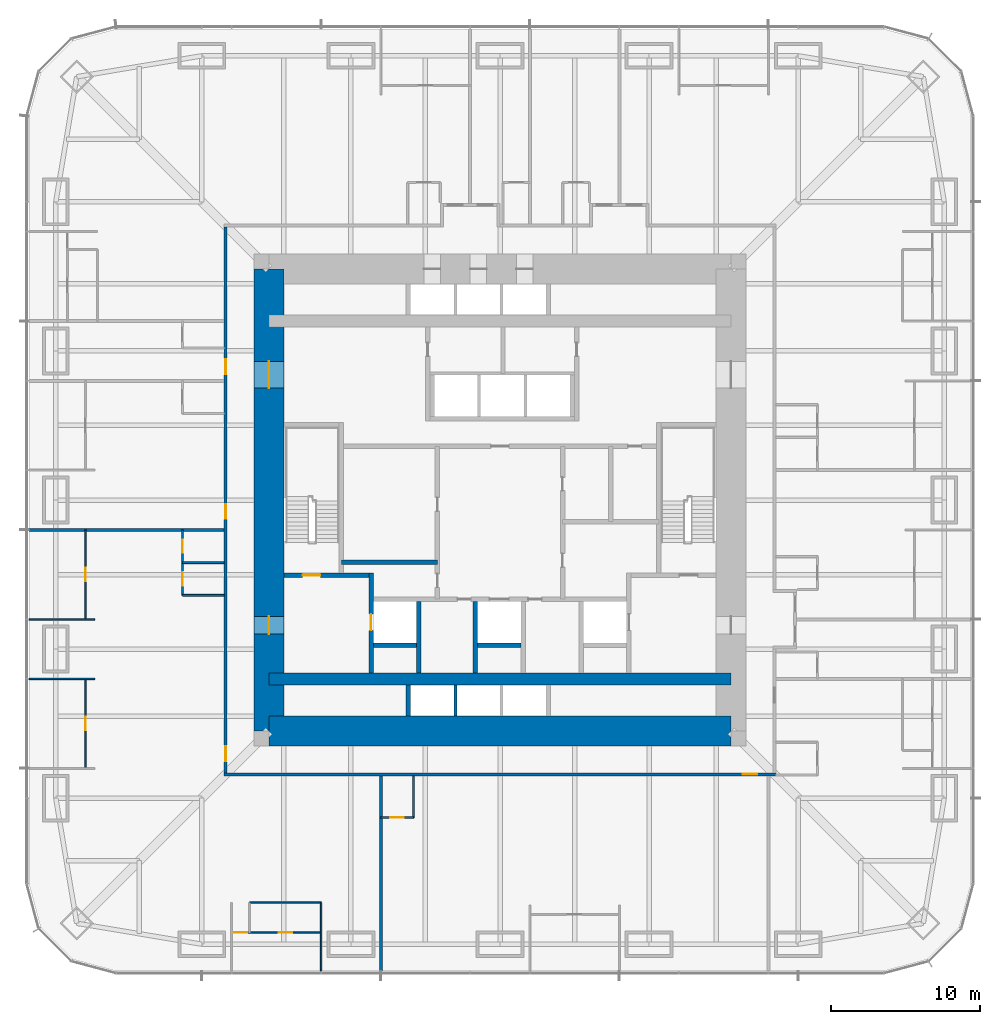
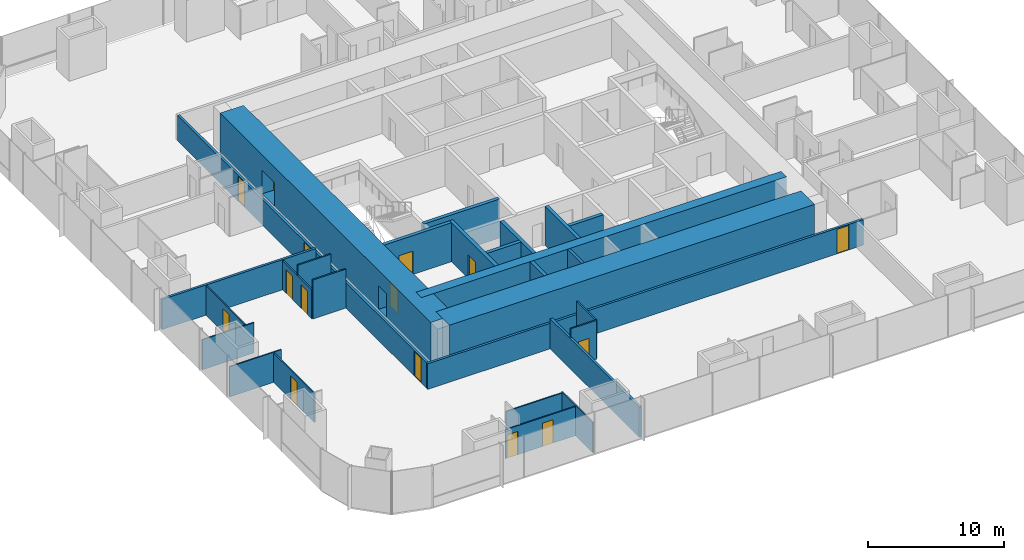
# One storey, part 12 of 17: 28 walls, 15 doors, 15 openings.
"""IFC4 building model written with IfcOpenShell, lengths in metres."""

from ifc_helpers import new_model, si_unit, direction, frame, frame_2d, origin, place, context, subcontext, project, spatial, rectangle, extrude, material, layer, layer_set, type_object, element, fill, save


model = new_model("IFC4")

# Units and contexts
model_context = context("Model", 3, precision=1e-05, world=origin(), true_north=direction((0.0, 1.0)))
body_context = subcontext(model_context, "Body", "Model", "MODEL_VIEW")
ifc_project = project(units=[si_unit("LENGTHUNIT", "METRE"), si_unit("AREAUNIT", "SQUARE_METRE"), si_unit("VOLUMEUNIT", "CUBIC_METRE"), si_unit("PLANEANGLEUNIT", "RADIAN"), si_unit("MASSUNIT", "GRAM", prefix="KILO")], contexts=[model_context])

# Site, building, storey
site_placement = place(None, origin())
site = spatial("IfcSite", under=ifc_project, at=site_placement, CompositionType="ELEMENT")
building_placement = place(site_placement, origin())
building = spatial("IfcBuilding", under=site, at=building_placement, Name="Khuree Lantern Residences", CompositionType="ELEMENT")
storey_placement = place(building_placement, frame((0.0, 0.0, 47.25)))
storey = spatial("IfcBuildingStorey", under=building, at=storey_placement, Name="L11", CompositionType="ELEMENT", Elevation=47.25)

# Wall, openings, doors
ifc_material_1 = material(Name="Moisture-resistant gypsum board on steel studs", Category="steel")
ifc_layer_1 = layer(ifc_material_1, 0.125)
ifc_layer_set_1 = layer_set([ifc_layer_1], Name="BATHROOM WALL BTW125")
wall_type_1 = type_object("IfcWallType", Name="BATHROOM WALL BTW125", PredefinedType="PARTITIONING", material=ifc_layer_set_1)
wall_1_placement = place(storey_placement, frame((-21.300048828125, -2.0, 0.0), z_axis=(0.0, 0.0, 1.0), x_axis=(0.0, -1.0, 0.0)))
wall_1 = element("IfcWall", 1, at=wall_1_placement, inside=storey, type_object=wall_type_1, Name="L11 BATHROOM WALL 08", PredefinedType="PARTITIONING", context=body_context, shape_type="SweptSolid", body=[
    extrude(rectangle(XDim=4.39990234375, YDim=0.125, at=frame_2d((2.199951171875, 0.0))), origin(), (0.0, 0.0, 1.0), 2.610107421875),
])
opening_1_placement = place(wall_1_placement, frame((0.64990234375, 0.0, 0.0)))
opening_1 = element("IfcOpeningElement", 2, at=opening_1_placement, cuts=wall_1, Name="Opening 11-051", PredefinedType="OPENING", context=body_context, shape_type="SweptSolid", body=[
    extrude(rectangle(XDim=0.89990234375, YDim=2.10009765625, at=frame_2d((0.449951171875, 1.050048828125))), frame((0.0, 0.072509765625, 0.0), z_axis=(0.0, -1.0, 0.0), x_axis=(1.0, 0.0, 0.0)), (0.0, 0.0, 1.0), 0.14501953125),
])
opening_2_placement = place(wall_1_placement, frame((2.85009765625, 0.0, 0.0)))
opening_2 = element("IfcOpeningElement", 3, at=opening_2_placement, cuts=wall_1, Name="Opening 11-052", PredefinedType="OPENING", context=body_context, shape_type="SweptSolid", body=[
    extrude(rectangle(XDim=0.89990234375, YDim=2.10009765625, at=frame_2d((0.449951171875, 1.050048828125))), frame((0.0, 0.072509765625, 0.0), z_axis=(0.0, -1.0, 0.0), x_axis=(1.0, 0.0, 0.0)), (0.0, 0.0, 1.0), 0.14501953125),
])
ifc_material_2 = material(Name="Timber door leaf in hardwood frame", Category="wood")
door_type_1 = type_object("IfcDoorType", Name="BATHROOM DOOR 900X2100", OperationType="SINGLE_SWING_LEFT", PredefinedType="DOOR", material=ifc_material_2)
door_1_placement = place(opening_1_placement, origin())
door_1 = element("IfcDoor", 4, at=door_1_placement, inside=storey, type_object=door_type_1, Name="Bathroom door 11-051", OperationType="SINGLE_SWING_LEFT", OverallHeight=2.10009765625, OverallWidth=0.89990234375, PredefinedType="DOOR", context=body_context, shape_type="SweptSolid", body=[
    extrude(rectangle(XDim=0.89990234375, YDim=2.10009765625, at=frame_2d((0.449951171875, 1.050048828125))), frame((0.0, 0.02490234375, 0.0), z_axis=(0.0, -1.0, 0.0), x_axis=(1.0, 0.0, 0.0)), (0.0, 0.0, 1.0), 0.050048828125),
])
fill(opening_1, door_1)
door_2_placement = place(opening_2_placement, origin())
door_2 = element("IfcDoor", 5, at=door_2_placement, inside=storey, type_object=door_type_1, Name="Bathroom door 11-052", OperationType="SINGLE_SWING_LEFT", OverallHeight=2.10009765625, OverallWidth=0.89990234375, PredefinedType="DOOR", context=body_context, shape_type="SweptSolid", body=[
    extrude(rectangle(XDim=0.89990234375, YDim=2.10009765625, at=frame_2d((0.449951171875, 1.050048828125))), frame((0.0, 0.02490234375, 0.0), z_axis=(0.0, -1.0, 0.0), x_axis=(1.0, 0.0, 0.0)), (0.0, 0.0, 1.0), 0.050048828125),
])
fill(opening_2, door_2)

# Walls
for number, where, z_axis, x_axis, name in (
    (6, (-18.5, -4.199951171875, 0.0), (0.0, 0.0, 1.0), (-1.0, 0.0, 0.0), "L11 BATHROOM WALL 08"),
    (7, (-18.5, -6.39990234375, 0.0), (0.0, 0.0, 1.0), (-1.0, 0.0, 0.0), "L11 BATHROOM WALL 08"),
):
    element("IfcWall", number, at=place(storey_placement, frame(where, z_axis=z_axis, x_axis=x_axis)), inside=storey, type_object=wall_type_1, Name=name, PredefinedType="PARTITIONING", context=body_context, shape_type="SweptSolid", body=[
        extrude(rectangle(XDim=2.800048828125, YDim=0.125, at=frame_2d((1.39990234375, 0.0))), origin(), (0.0, 0.0, 1.0), 3.5),
    ])

# Wall, opening, door
wall_2_placement = place(storey_placement, frame((-8.0, -21.300048828125, 0.0), z_axis=(0.0, 0.0, 1.0), x_axis=(1.0, 0.0, 0.0)))
wall_2 = element("IfcWall", 8, at=wall_2_placement, inside=storey, type_object=wall_type_1, Name="L11 BATHROOM WALL 09", PredefinedType="PARTITIONING", context=body_context, shape_type="SweptSolid", body=[
    extrude(rectangle(XDim=2.199951171875, YDim=0.125, at=frame_2d((1.10009765625, 0.0))), origin(), (0.0, 0.0, 1.0), 3.5),
])
opening_3_placement = place(wall_2_placement, frame((0.64990234375, 0.0, 0.0)))
opening_3 = element("IfcOpeningElement", 9, at=opening_3_placement, cuts=wall_2, Name="Opening 11-055", PredefinedType="OPENING", context=body_context, shape_type="SweptSolid", body=[
    extrude(rectangle(XDim=0.89990234375, YDim=2.10009765625, at=frame_2d((0.449951171875, 1.050048828125))), frame((0.0, 0.072509765625, 0.0), z_axis=(0.0, -1.0, 0.0), x_axis=(1.0, 0.0, 0.0)), (0.0, 0.0, 1.0), 0.14501953125),
])
door_3_placement = place(opening_3_placement, origin())
door_3 = element("IfcDoor", 10, at=door_3_placement, inside=storey, type_object=door_type_1, Name="Bathroom door 11-055", OperationType="SINGLE_SWING_LEFT", OverallHeight=2.10009765625, OverallWidth=0.89990234375, PredefinedType="DOOR", context=body_context, shape_type="SweptSolid", body=[
    extrude(rectangle(XDim=0.89990234375, YDim=2.10009765625, at=frame_2d((0.449951171875, 1.050048828125))), frame((0.0, 0.02490234375, 0.0), z_axis=(0.0, -1.0, 0.0), x_axis=(1.0, 0.0, 0.0)), (0.0, 0.0, 1.0), 0.050048828125),
])
fill(opening_3, door_3)

# Wall
wall_3_placement = place(storey_placement, frame((-5.800048828125, -18.5, 0.0), z_axis=(0.0, 0.0, 1.0), x_axis=(0.0, -1.0, 0.0)))
element("IfcWall", 11, at=wall_3_placement, inside=storey, type_object=wall_type_1, Name="L11 BATHROOM WALL 09", PredefinedType="PARTITIONING", context=body_context, shape_type="SweptSolid", body=[
    extrude(rectangle(XDim=2.800048828125, YDim=0.125, at=frame_2d((1.39990234375, 0.0))), origin(), (0.0, 0.0, 1.0), 3.5),
])

# Wall, opening, door
ifc_material_3 = material(Name="Dense concrete blockwork", Category="masonry")
ifc_layer_2 = layer(ifc_material_3, 0.300048828125)
ifc_layer_set_2 = layer_set([ifc_layer_2], Name="CORE PARTITION WALL CPW300 EI 120")
wall_type_2 = type_object("IfcWallType", Name="CORE PARTITION WALL CPW300 EI 120", PredefinedType="PARTITIONING", material=ifc_layer_set_2)
wall_4_placement = place(storey_placement, frame((-8.64990234375, -11.60009765625, 0.0), z_axis=(0.0, 0.0, 1.0), x_axis=(0.0, 1.0, 0.0)))
wall_4 = element("IfcWall", 12, at=wall_4_placement, inside=storey, type_object=wall_type_2, Name="L11 CORE WALL FL1W", PredefinedType="PARTITIONING", context=body_context, shape_type="SweptSolid", body=[
    extrude(rectangle(XDim=6.7001953125, YDim=0.300048828125, at=frame_2d((3.35009765625, 0.0))), origin(), (0.0, 0.0, 1.0), 3.5),
])
opening_4_placement = place(wall_4_placement, frame((2.85009765625, 0.0, 0.0)))
opening_4 = element("IfcOpeningElement", 13, at=opening_4_placement, cuts=wall_4, Name="Opening 11-007", PredefinedType="OPENING", context=body_context, shape_type="SweptSolid", body=[
    extrude(rectangle(XDim=1.10009765625, YDim=2.10009765625, at=frame_2d((0.550048828125, 1.050048828125))), frame((0.0, 0.16015625, 0.0), z_axis=(0.0, -1.0, 0.0), x_axis=(1.0, 0.0, 0.0)), (0.0, 0.0, 1.0), 0.320068359375),
])
ifc_material_4 = material(Name="Stainless steel lift landing door", Category="steel")
door_type_2 = type_object("IfcDoorType", Name="LIFT LANDING DOOR 1100X2100 E 120", OperationType="DOUBLE_DOOR_SLIDING", PredefinedType="DOOR", material=ifc_material_4)
door_4_placement = place(opening_4_placement, origin())
door_4 = element("IfcDoor", 14, at=door_4_placement, inside=storey, type_object=door_type_2, Name="Landing door FL1 11-007", OperationType="DOUBLE_DOOR_SLIDING", OverallHeight=2.10009765625, OverallWidth=1.10009765625, PredefinedType="DOOR", context=body_context, shape_type="SweptSolid", body=[
    extrude(rectangle(XDim=1.10009765625, YDim=2.10009765625, at=frame_2d((0.550048828125, 1.050048828125))), frame((0.0, 0.02490234375, 0.0), z_axis=(0.0, -1.0, 0.0), x_axis=(1.0, 0.0, 0.0)), (0.0, 0.0, 1.0), 0.050048828125),
])
fill(opening_4, door_4)

# Walls
for number, where, z_axis, x_axis, name in (
    (15, (-5.449951171875, -11.60009765625, 0.0), (0.0, 0.0, 1.0), (0.0, 1.0, 0.0), "L11 CORE WALL FL1E"),
    (16, (-1.64990234375, -11.60009765625, 0.0), (0.0, 0.0, 1.0), (0.0, 1.0, 0.0), "L11 CORE WALL SL1W"),
):
    element("IfcWall", number, at=place(storey_placement, frame(where, z_axis=z_axis, x_axis=x_axis)), inside=storey, type_object=wall_type_2, Name=name, PredefinedType="PARTITIONING", context=body_context, shape_type="SweptSolid", body=[
        extrude(rectangle(XDim=4.800048828125, YDim=0.300048828125, at=frame_2d((2.39990234375, 0.0))), origin(), (0.0, 0.0, 1.0), 3.5),
    ])
for number, where, z_axis, x_axis, name in (
    (17, (-8.5, -9.75, 0.0), (0.0, 0.0, 1.0), (1.0, 0.0, 0.0), "L11 CORE WALL FL1S"),
    (18, (-1.5, -9.75, 0.0), (0.0, 0.0, 1.0), (1.0, 0.0, 0.0), "L11 CORE WALL SL1S"),
):
    element("IfcWall", number, at=place(storey_placement, frame(where, z_axis=z_axis, x_axis=x_axis)), inside=storey, type_object=wall_type_2, Name=name, PredefinedType="PARTITIONING", context=body_context, shape_type="SweptSolid", body=[
        extrude(rectangle(XDim=2.89990234375, YDim=0.300048828125, at=frame_2d((1.449951171875, 0.0))), origin(), (0.0, 0.0, 1.0), 3.5),
    ])
wall_5_placement = place(storey_placement, frame((-6.14990234375, -14.5, 0.0), z_axis=(0.0, 0.0, 1.0), x_axis=(0.0, 1.0, 0.0)))
element("IfcWall", 19, at=wall_5_placement, inside=storey, type_object=wall_type_2, Name="L11 CORE WALL PMW", PredefinedType="PARTITIONING", context=body_context, shape_type="SweptSolid", body=[
    extrude(rectangle(XDim=2.10009765625, YDim=0.300048828125, at=frame_2d((1.050048828125, 0.0))), origin(), (0.0, 0.0, 1.0), 3.5),
])
wall_6_placement = place(storey_placement, frame((-10.64990234375, -4.177001953125, 0.0), z_axis=(0.0, 0.0, 1.0), x_axis=(1.0, 0.0, 0.0)))
element("IfcWall", 20, at=wall_6_placement, inside=storey, type_object=wall_type_2, Name="L11 CORE WALL WX", PredefinedType="PARTITIONING", context=body_context, shape_type="SweptSolid", body=[
    extrude(rectangle(XDim=6.449951171875, YDim=0.300048828125, at=frame_2d((3.22509765625, 0.0))), origin(), (0.0, 0.0, 1.0), 3.5),
])

# Wall, openings, doors
ifc_material_5 = material(Name="Gypsum board on steel studs", Category="steel")
ifc_layer_3 = layer(ifc_material_5, 0.199951171875)
ifc_layer_set_3 = layer_set([ifc_layer_3], Name="CORRIDOR WALL CRW200 EI 60")
wall_type_3 = type_object("IfcWallType", Name="CORRIDOR WALL CRW200 EI 60", PredefinedType="PARTITIONING", material=ifc_layer_set_3)
wall_7_placement = place(storey_placement, frame((-18.39990234375, 18.300048828125, 0.0), z_axis=(0.0, 0.0, 1.0), x_axis=(0.0, -1.0, 0.0)))
wall_7 = element("IfcWall", 21, at=wall_7_placement, inside=storey, type_object=wall_type_3, Name="L11 CORRIDOR WALL WEST 1", PredefinedType="PARTITIONING", context=body_context, shape_type="SweptSolid", body=[
    extrude(rectangle(XDim=36.60009765625, YDim=0.199951171875, at=frame_2d((18.300048828125, 0.0))), origin(), (0.0, 0.0, 1.0), 2.300048828125),
])
opening_5_placement = place(wall_7_placement, frame((8.8701171875, 0.0, 0.0)))
opening_5 = element("IfcOpeningElement", 22, at=opening_5_placement, cuts=wall_7, Name="Opening 11-043", PredefinedType="OPENING", context=body_context, shape_type="SweptSolid", body=[
    extrude(rectangle(XDim=1.0, YDim=2.199951171875, at=frame_2d((0.5, 1.10009765625))), frame((0.0, 0.10986328125, 0.0), z_axis=(0.0, -1.0, 0.0), x_axis=(1.0, 0.0, 0.0)), (0.0, 0.0, 1.0), 0.219970703125),
])
opening_6_placement = place(wall_7_placement, frame((18.570068359375, 0.0, 0.0)))
opening_6 = element("IfcOpeningElement", 23, at=opening_6_placement, cuts=wall_7, Name="Opening 11-046", PredefinedType="OPENING", context=body_context, shape_type="SweptSolid", body=[
    extrude(rectangle(XDim=1.0, YDim=2.199951171875, at=frame_2d((0.5, 1.10009765625))), frame((0.0, 0.10986328125, 0.0), z_axis=(0.0, -1.0, 0.0), x_axis=(1.0, 0.0, 0.0)), (0.0, 0.0, 1.0), 0.219970703125),
])
opening_7_placement = place(wall_7_placement, frame((34.820068359375, 0.0, 0.0)))
opening_7 = element("IfcOpeningElement", 24, at=opening_7_placement, cuts=wall_7, Name="Opening 11-053", PredefinedType="OPENING", context=body_context, shape_type="SweptSolid", body=[
    extrude(rectangle(XDim=1.0, YDim=2.199951171875, at=frame_2d((0.5, 1.10009765625))), frame((0.0, 0.10986328125, 0.0), z_axis=(0.0, -1.0, 0.0), x_axis=(1.0, 0.0, 0.0)), (0.0, 0.0, 1.0), 0.219970703125),
])
door_type_3 = type_object("IfcDoorType", Name="APARTMENT ENTRANCE DOOR 1000X2200 EI 30S", OperationType="SINGLE_SWING_LEFT", PredefinedType="DOOR", material=ifc_material_2)
door_5_placement = place(opening_5_placement, origin())
door_5 = element("IfcDoor", 25, at=door_5_placement, inside=storey, type_object=door_type_3, Name="Apartment 06 entrance door 11-043", OperationType="SINGLE_SWING_LEFT", OverallHeight=2.199951171875, OverallWidth=1.0, PredefinedType="DOOR", context=body_context, shape_type="SweptSolid", body=[
    extrude(rectangle(XDim=1.0, YDim=2.199951171875, at=frame_2d((0.5, 1.10009765625))), frame((0.0, 0.02490234375, 0.0), z_axis=(0.0, -1.0, 0.0), x_axis=(1.0, 0.0, 0.0)), (0.0, 0.0, 1.0), 0.050048828125),
])
fill(opening_5, door_5)
door_6_placement = place(opening_6_placement, origin())
door_6 = element("IfcDoor", 26, at=door_6_placement, inside=storey, type_object=door_type_3, Name="Apartment 07 entrance door 11-046", OperationType="SINGLE_SWING_LEFT", OverallHeight=2.199951171875, OverallWidth=1.0, PredefinedType="DOOR", context=body_context, shape_type="SweptSolid", body=[
    extrude(rectangle(XDim=1.0, YDim=2.199951171875, at=frame_2d((0.5, 1.10009765625))), frame((0.0, 0.02490234375, 0.0), z_axis=(0.0, -1.0, 0.0), x_axis=(1.0, 0.0, 0.0)), (0.0, 0.0, 1.0), 0.050048828125),
])
fill(opening_6, door_6)
door_type_4 = type_object("IfcDoorType", Name="APARTMENT ENTRANCE DOOR 1000X2200 EI 30S RIGHT HAND", OperationType="SINGLE_SWING_RIGHT", PredefinedType="DOOR", material=ifc_material_2)
door_7_placement = place(opening_7_placement, origin())
door_7 = element("IfcDoor", 27, at=door_7_placement, inside=storey, type_object=door_type_4, Name="Apartment 08 entrance door 11-053", OperationType="SINGLE_SWING_RIGHT", OverallHeight=2.199951171875, OverallWidth=1.0, PredefinedType="DOOR", context=body_context, shape_type="SweptSolid", body=[
    extrude(rectangle(XDim=1.0, YDim=2.199951171875, at=frame_2d((0.5, 1.10009765625))), frame((0.0, 0.02490234375, 0.0), z_axis=(0.0, -1.0, 0.0), x_axis=(1.0, 0.0, 0.0)), (0.0, 0.0, 1.0), 0.050048828125),
])
fill(opening_7, door_7)

# Wall, opening, door
wall_8_placement = place(storey_placement, frame((18.5, -18.39990234375, 0.0), z_axis=(0.0, 0.0, 1.0), x_axis=(-1.0, 0.0, 0.0)))
wall_8 = element("IfcWall", 28, at=wall_8_placement, inside=storey, type_object=wall_type_3, Name="L11 CORRIDOR WALL SOUTH 1", PredefinedType="PARTITIONING", context=body_context, shape_type="SweptSolid", body=[
    extrude(rectangle(XDim=37.0, YDim=0.199951171875, at=frame_2d((18.5, 0.0))), origin(), (0.0, 0.0, 1.0), 2.300048828125),
])
opening_8_placement = place(wall_8_placement, frame((1.22998046875, 0.0, 0.0)))
opening_8 = element("IfcOpeningElement", 29, at=opening_8_placement, cuts=wall_8, Name="Opening 11-056", PredefinedType="OPENING", context=body_context, shape_type="SweptSolid", body=[
    extrude(rectangle(XDim=1.0, YDim=2.199951171875, at=frame_2d((0.5, 1.10009765625))), frame((0.0, 0.10986328125, 0.0), z_axis=(0.0, -1.0, 0.0), x_axis=(1.0, 0.0, 0.0)), (0.0, 0.0, 1.0), 0.219970703125),
])
door_8_placement = place(opening_8_placement, origin())
door_8 = element("IfcDoor", 30, at=door_8_placement, inside=storey, type_object=door_type_3, Name="Apartment 09 entrance door 11-056", OperationType="SINGLE_SWING_LEFT", OverallHeight=2.199951171875, OverallWidth=1.0, PredefinedType="DOOR", context=body_context, shape_type="SweptSolid", body=[
    extrude(rectangle(XDim=1.0, YDim=2.199951171875, at=frame_2d((0.5, 1.10009765625))), frame((0.0, 0.02490234375, 0.0), z_axis=(0.0, -1.0, 0.0), x_axis=(1.0, 0.0, 0.0)), (0.0, 0.0, 1.0), 0.050048828125),
])
fill(opening_8, door_8)

# Wall
ifc_material_6 = material(Name="Concrete C70/85", Category="concrete")
ifc_layer_4 = layer(ifc_material_6, 2.0)
ifc_layer_set_4 = layer_set([ifc_layer_4], Name="CW2000-C70 CORE WALL C70 2000")
wall_type_4 = type_object("IfcWallType", Name="CW2000-C70 CORE WALL C70 2000", PredefinedType="SHEAR", material=ifc_layer_set_4)
wall_9_placement = place(storey_placement, frame((-15.5, -15.5, -0.25), z_axis=(0.0, 0.0, 1.0), x_axis=(1.0, 0.0, 0.0)))
element("IfcWall", 31, at=wall_9_placement, inside=storey, type_object=wall_type_4, Name="Core wall S", PredefinedType="SHEAR", context=body_context, shape_type="SweptSolid", body=[
    extrude(rectangle(XDim=31.0, YDim=2.0, at=frame_2d((15.5, 0.0))), origin(), (0.0, 0.0, 1.0), 3.75),
])

# Wall, openings, doors
wall_10_placement = place(storey_placement, frame((-15.5, -15.5, -0.25), z_axis=(0.0, 0.0, 1.0), x_axis=(0.0, 1.0, 0.0)))
wall_10 = element("IfcWall", 32, at=wall_10_placement, inside=storey, type_object=wall_type_4, Name="Core wall W", PredefinedType="SHEAR", context=body_context, shape_type="SweptSolid", body=[
    extrude(rectangle(XDim=31.0, YDim=2.0, at=frame_2d((15.5, 0.0))), origin(), (0.0, 0.0, 1.0), 3.75),
])
opening_9_placement = place(wall_10_placement, frame((6.5, 0.0, 0.25)))
opening_9 = element("IfcOpeningElement", 33, at=opening_9_placement, cuts=wall_10, Name="Opening 11-002", PredefinedType="OPENING", context=body_context, shape_type="SweptSolid", body=[
    extrude(rectangle(XDim=1.199951171875, YDim=2.10009765625, at=frame_2d((0.60009765625, 1.050048828125))), frame((0.0, 1.010009765625, 0.0), z_axis=(0.0, -1.0, 0.0), x_axis=(1.0, 0.0, 0.0)), (0.0, 0.0, 1.0), 2.02001953125),
])
opening_10_placement = place(wall_10_placement, frame((23.0, 0.0, 0.25)))
opening_10 = element("IfcOpeningElement", 34, at=opening_10_placement, cuts=wall_10, Name="Opening 11-003", PredefinedType="OPENING", context=body_context, shape_type="SweptSolid", body=[
    extrude(rectangle(XDim=1.800048828125, YDim=2.10009765625, at=frame_2d((0.89990234375, 1.050048828125))), frame((0.0, 1.010009765625, 0.0), z_axis=(0.0, -1.0, 0.0), x_axis=(1.0, 0.0, 0.0)), (0.0, 0.0, 1.0), 2.02001953125),
])
ifc_material_7 = material(Name="Steel door leaf in steel frame", Category="steel")
door_type_5 = type_object("IfcDoorType", Name="LOBBY DOOR 1200X2100 EI 120", OperationType="SINGLE_SWING_LEFT", PredefinedType="DOOR", material=ifc_material_7)
door_9_placement = place(opening_9_placement, origin())
door_9 = element("IfcDoor", 35, at=door_9_placement, inside=storey, type_object=door_type_5, Name="Firefighting lobby door 11-002", OperationType="SINGLE_SWING_LEFT", OverallHeight=2.10009765625, OverallWidth=1.199951171875, PredefinedType="DOOR", context=body_context, shape_type="SweptSolid", body=[
    extrude(rectangle(XDim=1.199951171875, YDim=2.10009765625, at=frame_2d((0.60009765625, 1.050048828125))), frame((0.0, 0.02490234375, 0.0), z_axis=(0.0, -1.0, 0.0), x_axis=(1.0, 0.0, 0.0)), (0.0, 0.0, 1.0), 0.050048828125),
])
fill(opening_9, door_9)
door_type_6 = type_object("IfcDoorType", Name="LOBBY DOUBLE DOOR 1800X2100 EI 60", OperationType="DOUBLE_DOOR_SINGLE_SWING", PredefinedType="DOOR", material=ifc_material_7)
door_10_placement = place(opening_10_placement, origin())
door_10 = element("IfcDoor", 36, at=door_10_placement, inside=storey, type_object=door_type_6, Name="Lift lobby door 11-003", OperationType="DOUBLE_DOOR_SINGLE_SWING", OverallHeight=2.10009765625, OverallWidth=1.800048828125, PredefinedType="DOOR", context=body_context, shape_type="SweptSolid", body=[
    extrude(rectangle(XDim=1.800048828125, YDim=2.10009765625, at=frame_2d((0.89990234375, 1.050048828125))), frame((0.0, 0.02490234375, 0.0), z_axis=(0.0, -1.0, 0.0), x_axis=(1.0, 0.0, 0.0)), (0.0, 0.0, 1.0), 0.050048828125),
])
fill(opening_10, door_10)

# Walls
ifc_layer_5 = layer(ifc_material_5, 0.199951171875)
ifc_layer_set_5 = layer_set([ifc_layer_5], Name="DEMISING WALL DMW200 EI 90")
wall_type_5 = type_object("IfcWallType", Name="DEMISING WALL DMW200 EI 90", PredefinedType="PARTITIONING", material=ifc_layer_set_5)
for number, where, z_axis, x_axis, name in (
    (37, (-18.5, -2.0, 0.0), (0.0, 0.0, 1.0), (-1.0, 0.0, 0.0), "L11 DEMISING WALL 08"),
    (38, (-8.0, -18.5, 0.0), (0.0, 0.0, 1.0), (0.0, -1.0, 0.0), "L11 DEMISING WALL 09"),
):
    element("IfcWall", number, at=place(storey_placement, frame(where, z_axis=z_axis, x_axis=x_axis)), inside=storey, type_object=wall_type_5, Name=name, PredefinedType="PARTITIONING", context=body_context, shape_type="SweptSolid", body=[
        extrude(rectangle(XDim=13.10009765625, YDim=0.199951171875, at=frame_2d((6.550048828125, 0.0))), origin(), (0.0, 0.0, 1.0), 2.7099609375),
    ])
ifc_layer_6 = layer(ifc_material_5, 0.10009765625)
ifc_layer_set_6 = layer_set([ifc_layer_6], Name="PARTITION PT100")
wall_type_6 = type_object("IfcWallType", Name="PARTITION PT100", PredefinedType="PARTITIONING", material=ifc_layer_set_6)
for number, where, z_axis, x_axis, name in (
    (39, (-27.199951171875, -8.0, 0.0), (0.0, 0.0, 1.0), (-1.0, 0.0, 0.0), "L11 PARTITION 08"),
    (40, (-27.199951171875, -12.0, 0.0), (0.0, 0.0, 1.0), (-1.0, 0.0, 0.0), "L11 PARTITION 08"),
):
    element("IfcWall", number, at=place(storey_placement, frame(where, z_axis=z_axis, x_axis=x_axis)), inside=storey, type_object=wall_type_6, Name=name, PredefinedType="PARTITIONING", context=body_context, shape_type="SweptSolid", body=[
        extrude(rectangle(XDim=4.400146484375, YDim=0.10009765625, at=frame_2d((2.2001953125, 0.0))), origin(), (0.0, 0.0, 1.0), 2.7099609375),
    ])
wall_11_placement = place(storey_placement, frame((-12.0, -27.0166015625, 0.0), z_axis=(0.0, 0.0, 1.0), x_axis=(0.0, -1.0, 0.0)))
element("IfcWall", 41, at=wall_11_placement, inside=storey, type_object=wall_type_6, Name="L11 PARTITION 08", PredefinedType="PARTITIONING", context=body_context, shape_type="SweptSolid", body=[
    extrude(rectangle(XDim=4.58349609375, YDim=0.10009765625, at=frame_2d((2.291748046875, 0.0))), origin(), (0.0, 0.0, 1.0), 2.7099609375),
])

# Wall, opening, door
wall_12_placement = place(storey_placement, frame((-27.800048828125, -2.0, 0.0), z_axis=(0.0, 0.0, 1.0), x_axis=(0.0, -1.0, 0.0)))
wall_12 = element("IfcWall", 42, at=wall_12_placement, inside=storey, type_object=wall_type_6, Name="L11 PARTITION 08", PredefinedType="PARTITIONING", context=body_context, shape_type="SweptSolid", body=[
    extrude(rectangle(XDim=6.0, YDim=0.10009765625, at=frame_2d((3.0, 0.0))), origin(), (0.0, 0.0, 1.0), 2.610107421875),
])
opening_11_placement = place(wall_12_placement, frame((2.550048828125, 0.0, 0.0)))
opening_11 = element("IfcOpeningElement", 43, at=opening_11_placement, cuts=wall_12, Name="Opening 11-047", PredefinedType="OPENING", context=body_context, shape_type="SweptSolid", body=[
    extrude(rectangle(XDim=0.89990234375, YDim=2.10009765625, at=frame_2d((0.449951171875, 1.050048828125))), frame((0.0, 0.06005859375, 0.0), z_axis=(0.0, -1.0, 0.0), x_axis=(1.0, 0.0, 0.0)), (0.0, 0.0, 1.0), 0.1201171875),
])
door_type_7 = type_object("IfcDoorType", Name="BEDROOM DOOR 900X2100", OperationType="SINGLE_SWING_LEFT", PredefinedType="DOOR", material=ifc_material_2)
door_11_placement = place(opening_11_placement, origin())
door_11 = element("IfcDoor", 44, at=door_11_placement, inside=storey, type_object=door_type_7, Name="Bedroom door 11-047", OperationType="SINGLE_SWING_LEFT", OverallHeight=2.10009765625, OverallWidth=0.89990234375, PredefinedType="DOOR", context=body_context, shape_type="SweptSolid", body=[
    extrude(rectangle(XDim=0.89990234375, YDim=2.10009765625, at=frame_2d((0.449951171875, 1.050048828125))), frame((0.0, 0.02490234375, 0.0), z_axis=(0.0, -1.0, 0.0), x_axis=(1.0, 0.0, 0.0)), (0.0, 0.0, 1.0), 0.050048828125),
])
fill(opening_11, door_11)

wall_13_placement = place(storey_placement, frame((-27.800048828125, -12.0, 0.0), z_axis=(0.0, 0.0, 1.0), x_axis=(0.0, -1.0, 0.0)))
wall_13 = element("IfcWall", 45, at=wall_13_placement, inside=storey, type_object=wall_type_6, Name="L11 PARTITION 08", PredefinedType="PARTITIONING", context=body_context, shape_type="SweptSolid", body=[
    extrude(rectangle(XDim=6.0, YDim=0.10009765625, at=frame_2d((3.0, 0.0))), origin(), (0.0, 0.0, 1.0), 2.610107421875),
])
opening_12_placement = place(wall_13_placement, frame((2.550048828125, 0.0, 0.0)))
opening_12 = element("IfcOpeningElement", 46, at=opening_12_placement, cuts=wall_13, Name="Opening 11-048", PredefinedType="OPENING", context=body_context, shape_type="SweptSolid", body=[
    extrude(rectangle(XDim=0.89990234375, YDim=2.10009765625, at=frame_2d((0.449951171875, 1.050048828125))), frame((0.0, 0.06005859375, 0.0), z_axis=(0.0, -1.0, 0.0), x_axis=(1.0, 0.0, 0.0)), (0.0, 0.0, 1.0), 0.1201171875),
])
door_12_placement = place(opening_12_placement, origin())
door_12 = element("IfcDoor", 47, at=door_12_placement, inside=storey, type_object=door_type_7, Name="Bedroom door 11-048", OperationType="SINGLE_SWING_LEFT", OverallHeight=2.10009765625, OverallWidth=0.89990234375, PredefinedType="DOOR", context=body_context, shape_type="SweptSolid", body=[
    extrude(rectangle(XDim=0.89990234375, YDim=2.10009765625, at=frame_2d((0.449951171875, 1.050048828125))), frame((0.0, 0.02490234375, 0.0), z_axis=(0.0, -1.0, 0.0), x_axis=(1.0, 0.0, 0.0)), (0.0, 0.0, 1.0), 0.050048828125),
])
fill(opening_12, door_12)

# Wall, openings, doors
wall_14_placement = place(storey_placement, frame((-18.0, -29.0166015625, 0.0), z_axis=(0.0, 0.0, 1.0), x_axis=(1.0, 0.0, 0.0)))
wall_14 = element("IfcWall", 48, at=wall_14_placement, inside=storey, type_object=wall_type_6, Name="L11 PARTITION 08", PredefinedType="PARTITIONING", context=body_context, shape_type="SweptSolid", body=[
    extrude(rectangle(XDim=6.0, YDim=0.10009765625, at=frame_2d((3.0, 0.0))), origin(), (0.0, 0.0, 1.0), 2.610107421875),
])
opening_13_placement = place(wall_14_placement, frame((0.14990234375, 0.0, 0.0)))
opening_13 = element("IfcOpeningElement", 49, at=opening_13_placement, cuts=wall_14, Name="Opening 11-049", PredefinedType="OPENING", context=body_context, shape_type="SweptSolid", body=[
    extrude(rectangle(XDim=0.89990234375, YDim=2.10009765625, at=frame_2d((0.449951171875, 1.050048828125))), frame((0.0, 0.06005859375, 0.0), z_axis=(0.0, -1.0, 0.0), x_axis=(1.0, 0.0, 0.0)), (0.0, 0.0, 1.0), 0.1201171875),
])
opening_14_placement = place(wall_14_placement, frame((3.14990234375, 0.0, 0.0)))
opening_14 = element("IfcOpeningElement", 50, at=opening_14_placement, cuts=wall_14, Name="Opening 11-050", PredefinedType="OPENING", context=body_context, shape_type="SweptSolid", body=[
    extrude(rectangle(XDim=0.89990234375, YDim=2.10009765625, at=frame_2d((0.449951171875, 1.050048828125))), frame((0.0, 0.06005859375, 0.0), z_axis=(0.0, -1.0, 0.0), x_axis=(1.0, 0.0, 0.0)), (0.0, 0.0, 1.0), 0.1201171875),
])
door_13_placement = place(opening_13_placement, origin())
door_13 = element("IfcDoor", 51, at=door_13_placement, inside=storey, type_object=door_type_7, Name="Bedroom door 11-049", OperationType="SINGLE_SWING_LEFT", OverallHeight=2.10009765625, OverallWidth=0.89990234375, PredefinedType="DOOR", context=body_context, shape_type="SweptSolid", body=[
    extrude(rectangle(XDim=0.89990234375, YDim=2.10009765625, at=frame_2d((0.449951171875, 1.050048828125))), frame((0.0, 0.02490234375, 0.0), z_axis=(0.0, -1.0, 0.0), x_axis=(1.0, 0.0, 0.0)), (0.0, 0.0, 1.0), 0.050048828125),
])
fill(opening_13, door_13)
door_type_8 = type_object("IfcDoorType", Name="DOOR 900X2100", OperationType="SINGLE_SWING_LEFT", PredefinedType="DOOR", material=ifc_material_2)
door_14_placement = place(opening_14_placement, origin())
door_14 = element("IfcDoor", 52, at=door_14_placement, inside=storey, type_object=door_type_8, Name="Wardrobe door 11-050", OperationType="SINGLE_SWING_LEFT", OverallHeight=2.10009765625, OverallWidth=0.89990234375, PredefinedType="DOOR", context=body_context, shape_type="SweptSolid", body=[
    extrude(rectangle(XDim=0.89990234375, YDim=2.10009765625, at=frame_2d((0.449951171875, 1.050048828125))), frame((0.0, 0.02490234375, 0.0), z_axis=(0.0, -1.0, 0.0), x_axis=(1.0, 0.0, 0.0)), (0.0, 0.0, 1.0), 0.050048828125),
])
fill(opening_14, door_14)

# Walls
wall_15_placement = place(storey_placement, frame((-16.800048828125, -27.0166015625, 0.0), z_axis=(0.0, 0.0, 1.0), x_axis=(1.0, 0.0, 0.0)))
element("IfcWall", 53, at=wall_15_placement, inside=storey, type_object=wall_type_6, Name="L11 PARTITION 08", PredefinedType="PARTITIONING", context=body_context, shape_type="SweptSolid", body=[
    extrude(rectangle(XDim=4.800048828125, YDim=0.10009765625, at=frame_2d((2.39990234375, 0.0))), origin(), (0.0, 0.0, 1.0), 2.610107421875),
])
ifc_layer_7 = layer(ifc_material_3, 0.199951171875)
ifc_layer_set_7 = layer_set([ifc_layer_7], Name="SHAFT WALL SHW200 EI 120")
wall_type_7 = type_object("IfcWallType", Name="SHAFT WALL SHW200 EI 120", PredefinedType="PARTITIONING", material=ifc_layer_set_7)
wall_16_placement = place(storey_placement, frame((-3.0, -14.5, 0.0), z_axis=(0.0, 0.0, 1.0), x_axis=(0.0, 1.0, 0.0)))
element("IfcWall", 54, at=wall_16_placement, inside=storey, type_object=wall_type_7, Name="L11 CORE WALL PMD1", PredefinedType="PARTITIONING", context=body_context, shape_type="SweptSolid", body=[
    extrude(rectangle(XDim=2.10009765625, YDim=0.199951171875, at=frame_2d((1.050048828125, 0.0))), origin(), (0.0, 0.0, 1.0), 3.5),
])
ifc_layer_8 = layer(ifc_material_6, 0.800048828125)
ifc_layer_set_8 = layer_set([ifc_layer_8], Name="SP800-C70 CORE SPINE WALL C70 800")
wall_type_8 = type_object("IfcWallType", Name="SP800-C70 CORE SPINE WALL C70 800", PredefinedType="SHEAR", material=ifc_layer_set_8)
wall_17_placement = place(storey_placement, frame((-15.5, -12.0, -0.25), z_axis=(0.0, 0.0, 1.0), x_axis=(1.0, 0.0, 0.0)))
element("IfcWall", 55, at=wall_17_placement, inside=storey, type_object=wall_type_8, Name="Core wall SPS", PredefinedType="SHEAR", context=body_context, shape_type="SweptSolid", body=[
    extrude(rectangle(XDim=31.0, YDim=0.800048828125, at=frame_2d((15.5, 0.0))), origin(), (0.0, 0.0, 1.0), 3.75),
])

# Wall, opening, door
ifc_material_8 = material(Name="Concrete C50/60", Category="concrete")
ifc_layer_9 = layer(ifc_material_8, 0.300048828125)
ifc_layer_set_9 = layer_set([ifc_layer_9], Name="STAIR WALL SRW300 C50/60 REI 240")
wall_type_9 = type_object("IfcWallType", Name="STAIR WALL SRW300 C50/60 REI 240", PredefinedType="SOLIDWALL", material=ifc_layer_set_9)
wall_18_placement = place(storey_placement, frame((-14.5, -5.050048828125, 0.0), z_axis=(0.0, 0.0, 1.0), x_axis=(1.0, 0.0, 0.0)))
wall_18 = element("IfcWall", 56, at=wall_18_placement, inside=storey, type_object=wall_type_9, Name="L11 STAIR WALL ST1S", PredefinedType="SOLIDWALL", context=body_context, shape_type="SweptSolid", body=[
    extrude(rectangle(XDim=5.699951171875, YDim=0.300048828125, at=frame_2d((2.85009765625, 0.0))), origin(), (0.0, 0.0, 1.0), 3.5),
])
opening_15_placement = place(wall_18_placement, frame((1.25, 0.0, 0.0)))
opening_15 = element("IfcOpeningElement", 57, at=opening_15_placement, cuts=wall_18, Name="Opening 11-001", PredefinedType="OPENING", context=body_context, shape_type="SweptSolid", body=[
    extrude(rectangle(XDim=1.199951171875, YDim=2.10009765625, at=frame_2d((0.60009765625, 1.050048828125))), frame((0.0, 0.16015625, 0.0), z_axis=(0.0, -1.0, 0.0), x_axis=(1.0, 0.0, 0.0)), (0.0, 0.0, 1.0), 0.320068359375),
])
door_type_9 = type_object("IfcDoorType", Name="STAIR DOOR 1200X2100 EI 120", OperationType="SINGLE_SWING_LEFT", PredefinedType="DOOR", material=ifc_material_7)
door_15_placement = place(opening_15_placement, origin())
door_15 = element("IfcDoor", 58, at=door_15_placement, inside=storey, type_object=door_type_9, Name="Stair ST1 door 11-001", OperationType="SINGLE_SWING_LEFT", OverallHeight=2.10009765625, OverallWidth=1.199951171875, PredefinedType="DOOR", context=body_context, shape_type="SweptSolid", body=[
    extrude(rectangle(XDim=1.199951171875, YDim=2.10009765625, at=frame_2d((0.60009765625, 1.050048828125))), frame((0.0, 0.02490234375, 0.0), z_axis=(0.0, -1.0, 0.0), x_axis=(1.0, 0.0, 0.0)), (0.0, 0.0, 1.0), 0.050048828125),
])
fill(opening_15, door_15)

save(model, "model.ifc")
